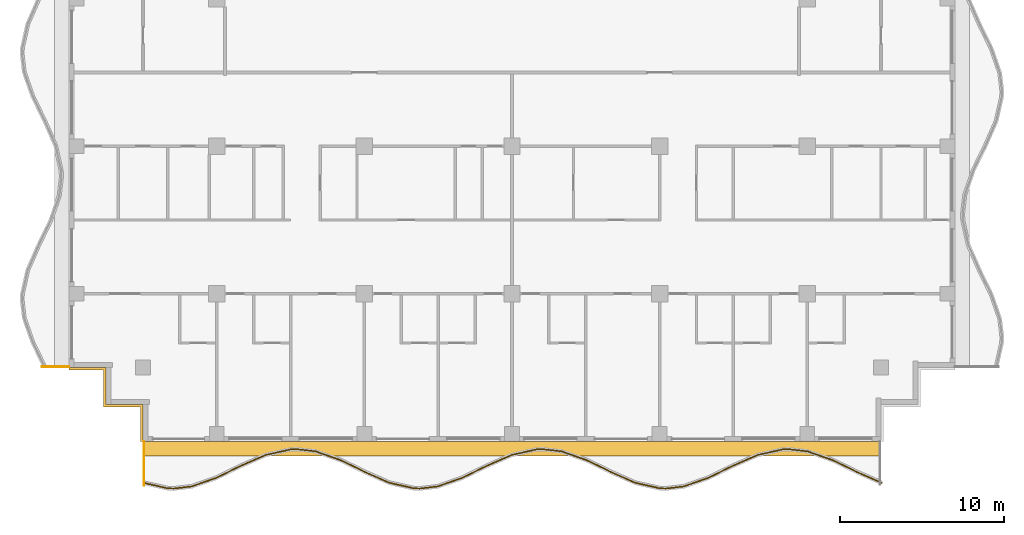
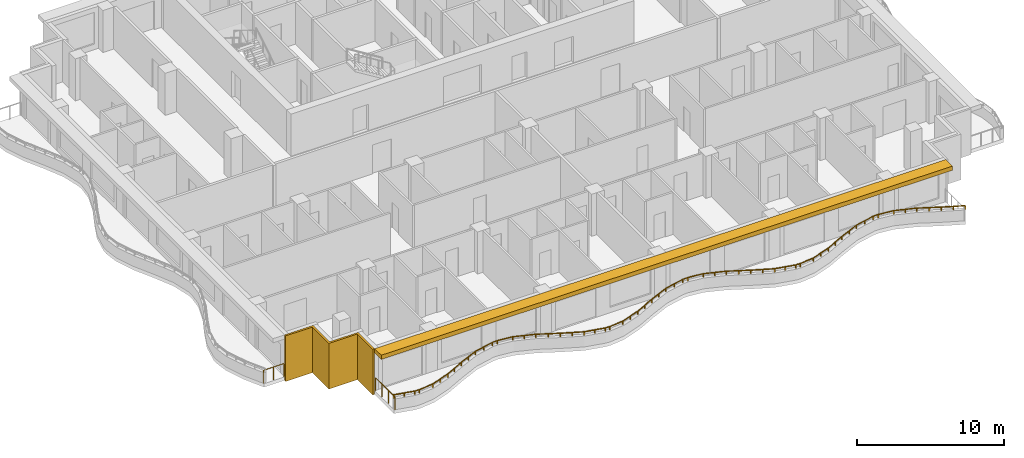
# One storey, part 8 of 11: 3 railings, 2 shading devices.
"""IFC4 building model written with IfcOpenShell, lengths in metres."""

from ifc_helpers import new_model, si_unit, direction, frame, origin, origin_2d, place, context, subcontext, project, spatial, polyline, rectangle, outline, extrude, material, layer, layer_set, type_object, element, save


model = new_model("IFC4")

# Units and contexts
model_context = context("Model", 3, precision=1e-05, world=origin(), true_north=direction((0.0, 1.0)))
body_context = subcontext(model_context, "Body", "Model", "MODEL_VIEW")
ifc_project = project(units=[si_unit("LENGTHUNIT", "METRE"), si_unit("AREAUNIT", "SQUARE_METRE"), si_unit("VOLUMEUNIT", "CUBIC_METRE"), si_unit("PLANEANGLEUNIT", "RADIAN"), si_unit("MASSUNIT", "GRAM", prefix="KILO")], contexts=[model_context])

# Site, building, storey
site_placement = place(None, origin())
site = spatial("IfcSite", under=ifc_project, at=site_placement, CompositionType="ELEMENT")
building_placement = place(site_placement, origin())
building = spatial("IfcBuilding", under=site, at=building_placement, Name="Orbiselva Terraces", CompositionType="ELEMENT")
storey_placement = place(building_placement, frame((0.0, 0.0, 246.4)))
storey = spatial("IfcBuildingStorey", under=building, at=storey_placement, Name="L62", CompositionType="ELEMENT", Elevation=246.4)

# Railings
ifc_material_1 = material(Name="Bonded two-ply safety glass balustrade, stainless steel posts", Category="steel")
railing_type_1 = type_object("IfcRailingType", Name="ENV-BALUSTRADE-1200", PredefinedType="BALUSTRADE", material=ifc_material_1)
railing_1_placement = place(storey_placement, frame((-22.472623, -25.026563, 0.9)))
element("IfcRailing", 1, at=railing_1_placement, inside=storey, type_object=railing_type_1, Name="Balcony balustrade L62 S", PredefinedType="BALUSTRADE", context=body_context, shape_type="SweptSolid", body=[
    extrude(outline(polyline([(0.028868, 0.0), (0.014434, 0.025), (-0.014434, 0.025), (-0.028868, 0.0), (-0.014434, -0.025), (0.014434, -0.025), (0.028868, 0.0)])), frame((0.0, 0.0, 0.275), z_axis=(0.975721322437, -0.21901575501, 0.0), x_axis=(0.21901575501, 0.975721322437, 0.0)), (0.0, 0.0, 1.0), 1.525954),
    extrude(outline(polyline([(0.028868, 0.0), (0.014434, 0.025), (-0.014434, 0.025), (-0.028868, 0.0), (-0.014434, -0.025), (0.014434, -0.025), (0.028868, 0.0)])), frame((1.488906, -0.334208, 0.275), z_axis=(0.999224931454, -0.039364150694, 0.0), x_axis=(0.039364150694, 0.999224931454, 0.0)), (0.0, 0.0, 1.0), 0.354206),
    extrude(outline(polyline([(0.028868, 0.0), (0.014434, 0.025), (-0.014434, 0.025), (-0.028868, 0.0), (-0.014434, -0.025), (0.014434, -0.025), (0.028868, 0.0)])), frame((1.842837, -0.348151, 0.275), z_axis=(0.993309658409, 0.115481264762, 0.0), x_axis=(-0.115481264762, 0.993309658409, 0.0)), (0.0, 0.0, 1.0), 1.10902),
    extrude(outline(polyline([(0.028868, 0.0), (0.014434, 0.025), (-0.014434, 0.025), (-0.028868, 0.0), (-0.014434, -0.025), (0.014434, -0.025), (0.028868, 0.0)])), frame((2.944437, -0.22008, 0.275), z_axis=(0.943972277814, 0.330024754707, 0.0), x_axis=(-0.330024754707, 0.943972277814, 0.0)), (0.0, 0.0, 1.0), 1.567807),
    extrude(outline(polyline([(0.028868, 0.0), (0.014434, 0.025), (-0.014434, 0.025), (-0.028868, 0.0), (-0.014434, -0.025), (0.014434, -0.025), (0.028868, 0.0)])), frame((4.424403, 0.297335, 0.275), z_axis=(0.89857890432, 0.438811978768, 0.0), x_axis=(-0.438811978768, 0.89857890432, 0.0)), (0.0, 0.0, 1.0), 1.66438),
    extrude(outline(polyline([(0.028868, 0.0), (0.014434, 0.025), (-0.014434, 0.025), (-0.028868, 0.0), (-0.014434, -0.025), (0.014434, -0.025), (0.028868, 0.0)])), frame((5.91998, 1.027685, 0.275), z_axis=(0.915133527237, 0.403150874148, 0.0), x_axis=(-0.403150874148, 0.915133527237, 0.0)), (0.0, 0.0, 1.0), 1.653736),
    extrude(outline(polyline([(0.028868, 0.0), (0.014434, 0.025), (-0.014434, 0.025), (-0.028868, 0.0), (-0.014434, -0.025), (0.014434, -0.025), (0.028868, 0.0)])), frame((7.433369, 1.69439, 0.275), z_axis=(0.97572137947, 0.219015500924, 0.0), x_axis=(-0.219015500924, 0.97572137947, 0.0)), (0.0, 0.0, 1.0), 1.560867),
    extrude(outline(polyline([(0.028868, 0.0), (0.014434, 0.025), (-0.014434, 0.025), (-0.028868, 0.0), (-0.014434, -0.025), (0.014434, -0.025), (0.028868, 0.0)])), frame((8.95634, 2.036244, 0.275), z_axis=(0.999224734286, 0.03936915532, 0.0), x_axis=(-0.03936915532, 0.999224734286, 0.0)), (0.0, 0.0, 1.0), 0.396376),
    extrude(outline(polyline([(0.028868, 0.0), (0.014434, 0.025), (-0.014434, 0.025), (-0.028868, 0.0), (-0.014434, -0.025), (0.014434, -0.025), (0.028868, 0.0)])), frame((9.352409, 2.051849, 0.275), z_axis=(0.993309551734, -0.115482182324, 0.0), x_axis=(0.115482182324, 0.993309551734, 0.0)), (0.0, 0.0, 1.0), 1.156135),
    extrude(outline(polyline([(0.028868, 0.0), (0.014434, 0.025), (-0.014434, 0.025), (-0.028868, 0.0), (-0.014434, -0.025), (0.014434, -0.025), (0.028868, 0.0)])), frame((10.500809, 1.918336, 0.275), z_axis=(0.943972332783, -0.330024597479, 0.0), x_axis=(0.330024597479, 0.943972332783, 0.0)), (0.0, 0.0, 1.0), 1.610253),
    extrude(outline(polyline([(0.028868, 0.0), (0.014434, 0.025), (-0.014434, 0.025), (-0.028868, 0.0), (-0.014434, -0.025), (0.014434, -0.025), (0.028868, 0.0)])), frame((12.020843, 1.386913, 0.275), z_axis=(0.898578870221, -0.438812048596, 0.0), x_axis=(0.438812048596, 0.898578870221, 0.0)), (0.0, 0.0, 1.0), 1.674225),
    extrude(outline(polyline([(0.028868, 0.0), (0.014434, 0.025), (-0.014434, 0.025), (-0.028868, 0.0), (-0.014434, -0.025), (0.014434, -0.025), (0.028868, 0.0)])), frame((13.525266, 0.652243, 0.275), z_axis=(0.915133363686, -0.403151245402, 0.0), x_axis=(0.403151245402, 0.915133363686, 0.0)), (0.0, 0.0, 1.0), 1.624475),
    extrude(outline(polyline([(0.028868, 0.0), (0.014434, 0.025), (-0.014434, 0.025), (-0.028868, 0.0), (-0.014434, -0.025), (0.014434, -0.025), (0.028868, 0.0)])), frame((15.011877, -0.002666, 0.275), z_axis=(0.975721325753, -0.219015740235, 0.0), x_axis=(0.219015740235, 0.975721325753, 0.0)), (0.0, 0.0, 1.0), 1.513782),
    extrude(outline(polyline([(0.028868, 0.0), (0.014434, 0.025), (-0.014434, 0.025), (-0.028868, 0.0), (-0.014434, -0.025), (0.014434, -0.025), (0.028868, 0.0)])), frame((16.488906, -0.334208, 0.275), z_axis=(0.999224931454, -0.039364150694, 0.0), x_axis=(0.039364150694, 0.999224931454, 0.0)), (0.0, 0.0, 1.0), 0.354206),
    extrude(outline(polyline([(0.028868, 0.0), (0.014434, 0.025), (-0.014434, 0.025), (-0.028868, 0.0), (-0.014434, -0.025), (0.014434, -0.025), (0.028868, 0.0)])), frame((16.842837, -0.348151, 0.275), z_axis=(0.993309658409, 0.115481264762, 0.0), x_axis=(-0.115481264762, 0.993309658409, 0.0)), (0.0, 0.0, 1.0), 1.10902),
    extrude(outline(polyline([(0.028868, 0.0), (0.014434, 0.025), (-0.014434, 0.025), (-0.028868, 0.0), (-0.014434, -0.025), (0.014434, -0.025), (0.028868, 0.0)])), frame((17.944437, -0.22008, 0.275), z_axis=(0.943972277814, 0.330024754707, 0.0), x_axis=(-0.330024754707, 0.943972277814, 0.0)), (0.0, 0.0, 1.0), 1.567807),
    extrude(outline(polyline([(0.028868, 0.0), (0.014434, 0.025), (-0.014434, 0.025), (-0.028868, 0.0), (-0.014434, -0.025), (0.014434, -0.025), (0.028868, 0.0)])), frame((19.424403, 0.297335, 0.275), z_axis=(0.89857890432, 0.438811978768, 0.0), x_axis=(-0.438811978768, 0.89857890432, 0.0)), (0.0, 0.0, 1.0), 1.66438),
    extrude(outline(polyline([(0.028868, 0.0), (0.014434, 0.025), (-0.014434, 0.025), (-0.028868, 0.0), (-0.014434, -0.025), (0.014434, -0.025), (0.028868, 0.0)])), frame((20.91998, 1.027685, 0.275), z_axis=(0.915133527237, 0.403150874148, 0.0), x_axis=(-0.403150874148, 0.915133527237, 0.0)), (0.0, 0.0, 1.0), 1.653736),
    extrude(outline(polyline([(0.028868, 0.0), (0.014434, 0.025), (-0.014434, 0.025), (-0.028868, 0.0), (-0.014434, -0.025), (0.014434, -0.025), (0.028868, 0.0)])), frame((22.433369, 1.69439, 0.275), z_axis=(0.97572137947, 0.219015500924, 0.0), x_axis=(-0.219015500924, 0.97572137947, 0.0)), (0.0, 0.0, 1.0), 1.560867),
    extrude(outline(polyline([(0.028868, 0.0), (0.014434, 0.025), (-0.014434, 0.025), (-0.028868, 0.0), (-0.014434, -0.025), (0.014434, -0.025), (0.028868, 0.0)])), frame((23.95634, 2.036244, 0.275), z_axis=(0.999224734286, 0.03936915532, 0.0), x_axis=(-0.03936915532, 0.999224734286, 0.0)), (0.0, 0.0, 1.0), 0.396376),
    extrude(outline(polyline([(0.028868, 0.0), (0.014434, 0.025), (-0.014434, 0.025), (-0.028868, 0.0), (-0.014434, -0.025), (0.014434, -0.025), (0.028868, 0.0)])), frame((24.352409, 2.051849, 0.275), z_axis=(0.993309551734, -0.115482182324, 0.0), x_axis=(0.115482182324, 0.993309551734, 0.0)), (0.0, 0.0, 1.0), 1.156135),
    extrude(outline(polyline([(0.028868, 0.0), (0.014434, 0.025), (-0.014434, 0.025), (-0.028868, 0.0), (-0.014434, -0.025), (0.014434, -0.025), (0.028868, 0.0)])), frame((25.500809, 1.918336, 0.275), z_axis=(0.943972332783, -0.330024597479, 0.0), x_axis=(0.330024597479, 0.943972332783, 0.0)), (0.0, 0.0, 1.0), 1.610253),
    extrude(outline(polyline([(0.028868, 0.0), (0.014434, 0.025), (-0.014434, 0.025), (-0.028868, 0.0), (-0.014434, -0.025), (0.014434, -0.025), (0.028868, 0.0)])), frame((27.020843, 1.386913, 0.275), z_axis=(0.898578870221, -0.438812048596, 0.0), x_axis=(0.438812048596, 0.898578870221, 0.0)), (0.0, 0.0, 1.0), 1.674225),
    extrude(outline(polyline([(0.028868, 0.0), (0.014434, 0.025), (-0.014434, 0.025), (-0.028868, 0.0), (-0.014434, -0.025), (0.014434, -0.025), (0.028868, 0.0)])), frame((28.525266, 0.652243, 0.275), z_axis=(0.915133363686, -0.403151245402, 0.0), x_axis=(0.403151245402, 0.915133363686, 0.0)), (0.0, 0.0, 1.0), 1.624475),
    extrude(outline(polyline([(0.028868, 0.0), (0.014434, 0.025), (-0.014434, 0.025), (-0.028868, 0.0), (-0.014434, -0.025), (0.014434, -0.025), (0.028868, 0.0)])), frame((30.011877, -0.002666, 0.275), z_axis=(0.975721325753, -0.219015740235, 0.0), x_axis=(0.219015740235, 0.975721325753, 0.0)), (0.0, 0.0, 1.0), 1.513782),
    extrude(outline(polyline([(0.028868, 0.0), (0.014434, 0.025), (-0.014434, 0.025), (-0.028868, 0.0), (-0.014434, -0.025), (0.014434, -0.025), (0.028868, 0.0)])), frame((31.488906, -0.334208, 0.275), z_axis=(0.999224931454, -0.039364150694, 0.0), x_axis=(0.039364150694, 0.999224931454, 0.0)), (0.0, 0.0, 1.0), 0.354206),
    extrude(outline(polyline([(0.028868, 0.0), (0.014434, 0.025), (-0.014434, 0.025), (-0.028868, 0.0), (-0.014434, -0.025), (0.014434, -0.025), (0.028868, 0.0)])), frame((31.842837, -0.348151, 0.275), z_axis=(0.993309658409, 0.115481264762, 0.0), x_axis=(-0.115481264762, 0.993309658409, 0.0)), (0.0, 0.0, 1.0), 1.10902),
    extrude(outline(polyline([(0.028868, 0.0), (0.014434, 0.025), (-0.014434, 0.025), (-0.028868, 0.0), (-0.014434, -0.025), (0.014434, -0.025), (0.028868, 0.0)])), frame((32.944437, -0.22008, 0.275), z_axis=(0.943972277814, 0.330024754707, 0.0), x_axis=(-0.330024754707, 0.943972277814, 0.0)), (0.0, 0.0, 1.0), 1.567807),
    extrude(outline(polyline([(0.028868, 0.0), (0.014434, 0.025), (-0.014434, 0.025), (-0.028868, 0.0), (-0.014434, -0.025), (0.014434, -0.025), (0.028868, 0.0)])), frame((34.424403, 0.297335, 0.275), z_axis=(0.89857890432, 0.438811978768, 0.0), x_axis=(-0.438811978768, 0.89857890432, 0.0)), (0.0, 0.0, 1.0), 1.66438),
    extrude(outline(polyline([(0.028868, 0.0), (0.014434, 0.025), (-0.014434, 0.025), (-0.028868, 0.0), (-0.014434, -0.025), (0.014434, -0.025), (0.028868, 0.0)])), frame((35.91998, 1.027685, 0.275), z_axis=(0.915133527237, 0.403150874148, 0.0), x_axis=(-0.403150874148, 0.915133527237, 0.0)), (0.0, 0.0, 1.0), 1.653736),
    extrude(outline(polyline([(0.028868, 0.0), (0.014434, 0.025), (-0.014434, 0.025), (-0.028868, 0.0), (-0.014434, -0.025), (0.014434, -0.025), (0.028868, 0.0)])), frame((37.433369, 1.69439, 0.275), z_axis=(0.97572137947, 0.219015500924, 0.0), x_axis=(-0.219015500924, 0.97572137947, 0.0)), (0.0, 0.0, 1.0), 1.560867),
    extrude(outline(polyline([(0.028868, 0.0), (0.014434, 0.025), (-0.014434, 0.025), (-0.028868, 0.0), (-0.014434, -0.025), (0.014434, -0.025), (0.028868, 0.0)])), frame((38.95634, 2.036244, 0.275), z_axis=(0.999224734286, 0.03936915532, 0.0), x_axis=(-0.03936915532, 0.999224734286, 0.0)), (0.0, 0.0, 1.0), 0.396376),
    extrude(outline(polyline([(0.028868, 0.0), (0.014434, 0.025), (-0.014434, 0.025), (-0.028868, 0.0), (-0.014434, -0.025), (0.014434, -0.025), (0.028868, 0.0)])), frame((39.352409, 2.051849, 0.275), z_axis=(0.993309551734, -0.115482182324, 0.0), x_axis=(0.115482182324, 0.993309551734, 0.0)), (0.0, 0.0, 1.0), 1.156135),
    extrude(outline(polyline([(0.028868, 0.0), (0.014434, 0.025), (-0.014434, 0.025), (-0.028868, 0.0), (-0.014434, -0.025), (0.014434, -0.025), (0.028868, 0.0)])), frame((40.500809, 1.918336, 0.275), z_axis=(0.943972332783, -0.330024597479, 0.0), x_axis=(0.330024597479, 0.943972332783, 0.0)), (0.0, 0.0, 1.0), 1.610253),
    extrude(outline(polyline([(0.028868, 0.0), (0.014434, 0.025), (-0.014434, 0.025), (-0.028868, 0.0), (-0.014434, -0.025), (0.014434, -0.025), (0.028868, 0.0)])), frame((42.020843, 1.386913, 0.275), z_axis=(0.898578870221, -0.438812048596, 0.0), x_axis=(0.438812048596, 0.898578870221, 0.0)), (0.0, 0.0, 1.0), 1.674225),
    extrude(outline(polyline([(0.028868, 0.0), (0.014434, 0.025), (-0.014434, 0.025), (-0.028868, 0.0), (-0.014434, -0.025), (0.014434, -0.025), (0.028868, 0.0)])), frame((43.525266, 0.652243, 0.275), z_axis=(0.915133498047, -0.403150940408, 0.0), x_axis=(0.403150940408, 0.915133498047, 0.0)), (0.0, 0.0, 1.0), 1.636648),
    extrude(rectangle(XDim=0.05, YDim=0.05, at=origin_2d()), origin(), (0.0, 0.0, 1.0), 0.25),
    extrude(rectangle(XDim=0.05, YDim=0.05, at=origin_2d()), frame((0.744453, -0.167104, 0.0)), (0.0, 0.0, 1.0), 0.25),
    extrude(rectangle(XDim=0.05, YDim=0.05, at=origin_2d()), frame((1.488906, -0.334208, 0.0)), (0.0, 0.0, 1.0), 0.25),
    extrude(rectangle(XDim=0.05, YDim=0.05, at=origin_2d()), frame((1.842837, -0.348151, 0.0)), (0.0, 0.0, 1.0), 0.25),
    extrude(rectangle(XDim=0.05, YDim=0.05, at=origin_2d()), frame((2.944437, -0.22008, 0.0)), (0.0, 0.0, 1.0), 0.25),
    extrude(rectangle(XDim=0.05, YDim=0.05, at=origin_2d()), frame((3.68442, 0.038628, 0.0)), (0.0, 0.0, 1.0), 0.25),
    extrude(rectangle(XDim=0.05, YDim=0.05, at=origin_2d()), frame((4.424403, 0.297335, 0.0)), (0.0, 0.0, 1.0), 0.25),
    extrude(rectangle(XDim=0.05, YDim=0.05, at=origin_2d()), frame((5.172191, 0.66251, 0.0)), (0.0, 0.0, 1.0), 0.25),
    extrude(rectangle(XDim=0.05, YDim=0.05, at=origin_2d()), frame((5.91998, 1.027685, 0.0)), (0.0, 0.0, 1.0), 0.25),
    extrude(rectangle(XDim=0.05, YDim=0.05, at=origin_2d()), frame((6.676674, 1.361037, 0.0)), (0.0, 0.0, 1.0), 0.25),
    extrude(rectangle(XDim=0.05, YDim=0.05, at=origin_2d()), frame((7.433369, 1.69439, 0.0)), (0.0, 0.0, 1.0), 0.25),
    extrude(rectangle(XDim=0.05, YDim=0.05, at=origin_2d()), frame((8.194854, 1.865317, 0.0)), (0.0, 0.0, 1.0), 0.25),
    extrude(rectangle(XDim=0.05, YDim=0.05, at=origin_2d()), frame((8.95634, 2.036244, 0.0)), (0.0, 0.0, 1.0), 0.25),
    extrude(rectangle(XDim=0.05, YDim=0.05, at=origin_2d()), frame((9.352409, 2.051849, 0.0)), (0.0, 0.0, 1.0), 0.25),
    extrude(rectangle(XDim=0.05, YDim=0.05, at=origin_2d()), frame((10.500809, 1.918336, 0.0)), (0.0, 0.0, 1.0), 0.25),
    extrude(rectangle(XDim=0.05, YDim=0.05, at=origin_2d()), frame((11.260826, 1.652624, 0.0)), (0.0, 0.0, 1.0), 0.25),
    extrude(rectangle(XDim=0.05, YDim=0.05, at=origin_2d()), frame((12.020843, 1.386913, 0.0)), (0.0, 0.0, 1.0), 0.25),
    extrude(rectangle(XDim=0.05, YDim=0.05, at=origin_2d()), frame((12.773054, 1.019578, 0.0)), (0.0, 0.0, 1.0), 0.25),
    extrude(rectangle(XDim=0.05, YDim=0.05, at=origin_2d()), frame((13.525266, 0.652243, 0.0)), (0.0, 0.0, 1.0), 0.25),
    extrude(rectangle(XDim=0.05, YDim=0.05, at=origin_2d()), frame((14.268571, 0.324788, 0.0)), (0.0, 0.0, 1.0), 0.25),
    extrude(rectangle(XDim=0.05, YDim=0.05, at=origin_2d()), frame((15.011877, -0.002666, 0.0)), (0.0, 0.0, 1.0), 0.25),
    extrude(rectangle(XDim=0.05, YDim=0.05, at=origin_2d()), frame((15.750392, -0.168437, 0.0)), (0.0, 0.0, 1.0), 0.25),
    extrude(rectangle(XDim=0.05, YDim=0.05, at=origin_2d()), frame((16.488906, -0.334208, 0.0)), (0.0, 0.0, 1.0), 0.25),
    extrude(rectangle(XDim=0.05, YDim=0.05, at=origin_2d()), frame((16.842837, -0.348151, 0.0)), (0.0, 0.0, 1.0), 0.25),
    extrude(rectangle(XDim=0.05, YDim=0.05, at=origin_2d()), frame((17.944437, -0.22008, 0.0)), (0.0, 0.0, 1.0), 0.25),
    extrude(rectangle(XDim=0.05, YDim=0.05, at=origin_2d()), frame((18.68442, 0.038628, 0.0)), (0.0, 0.0, 1.0), 0.25),
    extrude(rectangle(XDim=0.05, YDim=0.05, at=origin_2d()), frame((19.424403, 0.297335, 0.0)), (0.0, 0.0, 1.0), 0.25),
    extrude(rectangle(XDim=0.05, YDim=0.05, at=origin_2d()), frame((20.172191, 0.66251, 0.0)), (0.0, 0.0, 1.0), 0.25),
    extrude(rectangle(XDim=0.05, YDim=0.05, at=origin_2d()), frame((20.91998, 1.027685, 0.0)), (0.0, 0.0, 1.0), 0.25),
    extrude(rectangle(XDim=0.05, YDim=0.05, at=origin_2d()), frame((21.676674, 1.361037, 0.0)), (0.0, 0.0, 1.0), 0.25),
    extrude(rectangle(XDim=0.05, YDim=0.05, at=origin_2d()), frame((22.433369, 1.69439, 0.0)), (0.0, 0.0, 1.0), 0.25),
    extrude(rectangle(XDim=0.05, YDim=0.05, at=origin_2d()), frame((23.194854, 1.865317, 0.0)), (0.0, 0.0, 1.0), 0.25),
    extrude(rectangle(XDim=0.05, YDim=0.05, at=origin_2d()), frame((23.95634, 2.036244, 0.0)), (0.0, 0.0, 1.0), 0.25),
    extrude(rectangle(XDim=0.05, YDim=0.05, at=origin_2d()), frame((24.352409, 2.051849, 0.0)), (0.0, 0.0, 1.0), 0.25),
    extrude(rectangle(XDim=0.05, YDim=0.05, at=origin_2d()), frame((25.500809, 1.918336, 0.0)), (0.0, 0.0, 1.0), 0.25),
    extrude(rectangle(XDim=0.05, YDim=0.05, at=origin_2d()), frame((26.260826, 1.652624, 0.0)), (0.0, 0.0, 1.0), 0.25),
    extrude(rectangle(XDim=0.05, YDim=0.05, at=origin_2d()), frame((27.020843, 1.386913, 0.0)), (0.0, 0.0, 1.0), 0.25),
    extrude(rectangle(XDim=0.05, YDim=0.05, at=origin_2d()), frame((27.773054, 1.019578, 0.0)), (0.0, 0.0, 1.0), 0.25),
    extrude(rectangle(XDim=0.05, YDim=0.05, at=origin_2d()), frame((28.525266, 0.652243, 0.0)), (0.0, 0.0, 1.0), 0.25),
    extrude(rectangle(XDim=0.05, YDim=0.05, at=origin_2d()), frame((29.268572, 0.324788, 0.0)), (0.0, 0.0, 1.0), 0.25),
    extrude(rectangle(XDim=0.05, YDim=0.05, at=origin_2d()), frame((30.011877, -0.002666, 0.0)), (0.0, 0.0, 1.0), 0.25),
    extrude(rectangle(XDim=0.05, YDim=0.05, at=origin_2d()), frame((30.750392, -0.168437, 0.0)), (0.0, 0.0, 1.0), 0.25),
    extrude(rectangle(XDim=0.05, YDim=0.05, at=origin_2d()), frame((31.488906, -0.334208, 0.0)), (0.0, 0.0, 1.0), 0.25),
    extrude(rectangle(XDim=0.05, YDim=0.05, at=origin_2d()), frame((31.842837, -0.348151, 0.0)), (0.0, 0.0, 1.0), 0.25),
    extrude(rectangle(XDim=0.05, YDim=0.05, at=origin_2d()), frame((32.944437, -0.22008, 0.0)), (0.0, 0.0, 1.0), 0.25),
    extrude(rectangle(XDim=0.05, YDim=0.05, at=origin_2d()), frame((33.68442, 0.038628, 0.0)), (0.0, 0.0, 1.0), 0.25),
    extrude(rectangle(XDim=0.05, YDim=0.05, at=origin_2d()), frame((34.424403, 0.297335, 0.0)), (0.0, 0.0, 1.0), 0.25),
    extrude(rectangle(XDim=0.05, YDim=0.05, at=origin_2d()), frame((35.172192, 0.66251, 0.0)), (0.0, 0.0, 1.0), 0.25),
    extrude(rectangle(XDim=0.05, YDim=0.05, at=origin_2d()), frame((35.91998, 1.027685, 0.0)), (0.0, 0.0, 1.0), 0.25),
    extrude(rectangle(XDim=0.05, YDim=0.05, at=origin_2d()), frame((36.676674, 1.361037, 0.0)), (0.0, 0.0, 1.0), 0.25),
    extrude(rectangle(XDim=0.05, YDim=0.05, at=origin_2d()), frame((37.433369, 1.69439, 0.0)), (0.0, 0.0, 1.0), 0.25),
    extrude(rectangle(XDim=0.05, YDim=0.05, at=origin_2d()), frame((38.194854, 1.865317, 0.0)), (0.0, 0.0, 1.0), 0.25),
    extrude(rectangle(XDim=0.05, YDim=0.05, at=origin_2d()), frame((38.95634, 2.036244, 0.0)), (0.0, 0.0, 1.0), 0.25),
    extrude(rectangle(XDim=0.05, YDim=0.05, at=origin_2d()), frame((39.352409, 2.051849, 0.0)), (0.0, 0.0, 1.0), 0.25),
    extrude(rectangle(XDim=0.05, YDim=0.05, at=origin_2d()), frame((40.500809, 1.918336, 0.0)), (0.0, 0.0, 1.0), 0.25),
    extrude(rectangle(XDim=0.05, YDim=0.05, at=origin_2d()), frame((41.260826, 1.652624, 0.0)), (0.0, 0.0, 1.0), 0.25),
    extrude(rectangle(XDim=0.05, YDim=0.05, at=origin_2d()), frame((42.020843, 1.386913, 0.0)), (0.0, 0.0, 1.0), 0.25),
    extrude(rectangle(XDim=0.05, YDim=0.05, at=origin_2d()), frame((42.773054, 1.019578, 0.0)), (0.0, 0.0, 1.0), 0.25),
    extrude(rectangle(XDim=0.05, YDim=0.05, at=origin_2d()), frame((43.525266, 0.652243, 0.0)), (0.0, 0.0, 1.0), 0.25),
    extrude(rectangle(XDim=0.05, YDim=0.05, at=origin_2d()), frame((44.274142, 0.322335, 0.0)), (0.0, 0.0, 1.0), 0.25),
    extrude(rectangle(XDim=0.05, YDim=0.05, at=origin_2d()), frame((45.023017, -0.007573, 0.0)), (0.0, 0.0, 1.0), 0.25),
])
ifc_material_2 = material(Name="Stainless steel rail and posts", Category="steel")
railing_type_2 = type_object("IfcRailingType", Name="ENV-GUARD-1105", PredefinedType="BALUSTRADE", material=ifc_material_2)
railing_2_placement = place(storey_placement, frame((-22.44, -25.169584, 0.0)))
element("IfcRailing", 2, at=railing_2_placement, inside=storey, type_object=railing_type_2, Name="Balcony end guard L62 S", PredefinedType="BALUSTRADE", context=body_context, shape_type="SweptSolid", body=[
    extrude(outline(polyline([(0.028868, 0.0), (0.014434, 0.025), (-0.014434, 0.025), (-0.028868, 0.0), (-0.014434, -0.025), (0.014434, -0.025), (0.028868, 0.0)])), frame((0.0, 0.0, 1.08), z_axis=(0.0, 1.0, 0.0), x_axis=(-1.0, 0.0, 0.0)), (0.0, 0.0, 1.0), 2.644584),
    extrude(rectangle(XDim=0.05, YDim=0.05, at=origin_2d()), origin(), (0.0, 0.0, 1.0), 1.055),
    extrude(rectangle(XDim=0.05, YDim=0.05, at=origin_2d()), frame((0.0, 0.881528, 0.0)), (0.0, 0.0, 1.0), 1.055),
    extrude(rectangle(XDim=0.05, YDim=0.05, at=origin_2d()), frame((0.0, 1.763056, 0.0)), (0.0, 0.0, 1.0), 1.055),
    extrude(rectangle(XDim=0.05, YDim=0.05, at=origin_2d()), frame((0.0, 2.644584, 0.0)), (0.0, 0.0, 1.0), 1.055),
])
railing_3_placement = place(storey_placement, frame((-28.642123, -17.94, 0.0)))
element("IfcRailing", 3, at=railing_3_placement, inside=storey, type_object=railing_type_2, Name="Balcony end guard L62 W", PredefinedType="BALUSTRADE", context=body_context, shape_type="SweptSolid", body=[
    extrude(outline(polyline([(0.028868, 0.0), (0.014434, 0.025), (-0.014434, 0.025), (-0.028868, 0.0), (-0.014434, -0.025), (0.014434, -0.025), (0.028868, 0.0)])), frame((0.0, 0.0, 1.08), z_axis=(1.0, 0.0, 0.0), x_axis=(0.0, 1.0, 0.0)), (0.0, 0.0, 1.0), 1.617123),
    extrude(rectangle(XDim=0.05, YDim=0.05, at=origin_2d()), origin(), (0.0, 0.0, 1.0), 1.055),
    extrude(rectangle(XDim=0.05, YDim=0.05, at=origin_2d()), frame((0.808562, 0.0, 0.0)), (0.0, 0.0, 1.0), 1.055),
    extrude(rectangle(XDim=0.05, YDim=0.05, at=origin_2d()), frame((1.617123, 0.0, 0.0)), (0.0, 0.0, 1.0), 1.055),
])

# Shading devices
ifc_material_3 = material(Name="Terracotta louvre screen", Category="masonry")
ifc_layer_1 = layer(ifc_material_3, 0.15)
ifc_layer_set_1 = layer_set([ifc_layer_1], Name="Terracotta louvre screen")
shading_device_type_1 = type_object("IfcShadingDeviceType", Name="ENV-SCREEN-150", PredefinedType="USERDEFINED", material=ifc_layer_set_1)
shading_device_1_placement = place(storey_placement, frame((0.0, 0.0, -0.3)))
element("IfcShadingDevice", 4, at=shading_device_1_placement, inside=storey, type_object=shading_device_type_1, Name="Louvre screen L62 SW", ObjectType="SCREEN", PredefinedType="USERDEFINED", context=body_context, shape_type="SweptSolid", body=[
    extrude(outline(polyline([(-27.0, -18.15), (-24.9, -18.15), (-24.9, -20.4), (-22.65, -20.4), (-22.65, -22.5), (-22.5, -22.5), (-22.5, -20.25), (-24.75, -20.25), (-24.75, -18.0), (-27.0, -18.0), (-27.0, -18.15)])), origin(), (0.0, 0.0, 1.0), 3.8),
])
ifc_material_4 = material(Name="Terracotta baguette sunshade", Category="masonry")
ifc_layer_2 = layer(ifc_material_4, 0.35)
ifc_layer_set_2 = layer_set([ifc_layer_2], Name="Terracotta baguette sunshade")
shading_device_type_2 = type_object("IfcShadingDeviceType", Name="ENV-SUNSHADE-900x350", PredefinedType="USERDEFINED", material=ifc_layer_set_2)
shading_device_2_placement = place(storey_placement, frame((0.0, 0.0, 3.15)))
element("IfcShadingDevice", 5, at=shading_device_2_placement, inside=storey, type_object=shading_device_type_2, Name="Sunshade band L62 S", ObjectType="SUNSHADE", PredefinedType="USERDEFINED", context=body_context, shape_type="SweptSolid", body=[
    extrude(outline(polyline([(-22.5, -23.4), (22.5, -23.4), (22.5, -22.5), (-22.5, -22.5), (-22.5, -23.4)])), origin(), (0.0, 0.0, 1.0), 0.35),
])

save(model, "model.ifc")
